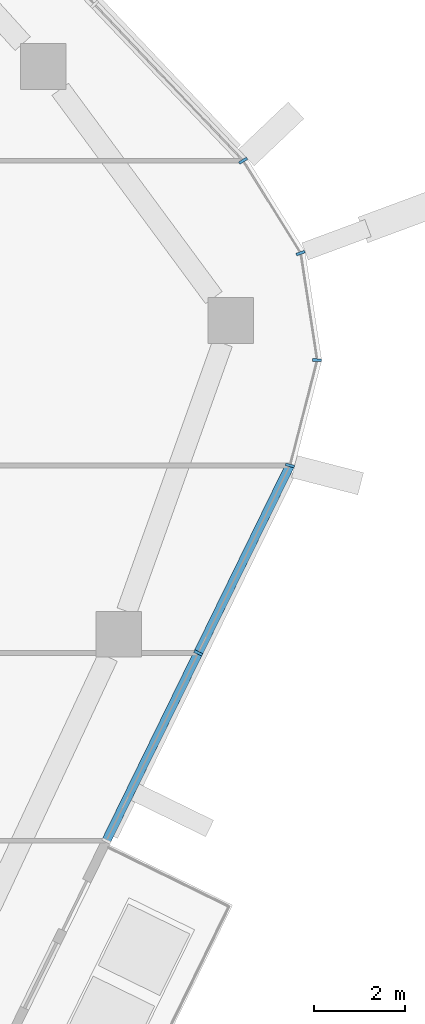
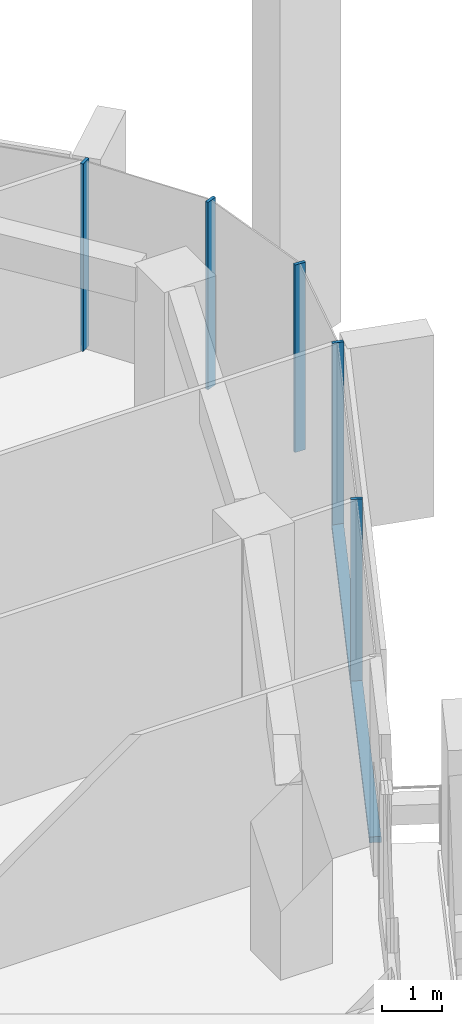
# One storey, part 10 of 24: 6 members, 2 elements without a shape of their own.
"""IFC4 building model written with IfcOpenShell, lengths in metres."""

from ifc_helpers import new_model, si_unit, direction, frame, origin, origin_2d, place, context, subcontext, project, spatial, rectangle, extrude, material, layer, layer_set, material_profile, profile_set, type_object, element, aggregate, save


model = new_model("IFC4")

# Units and contexts
model_context = context("Model", 3, precision=1e-05, world=origin(), true_north=direction((0.0, 1.0)))
body_context = subcontext(model_context, "Body", "Model", "MODEL_VIEW")
ifc_project = project(units=[si_unit("LENGTHUNIT", "METRE"), si_unit("AREAUNIT", "SQUARE_METRE"), si_unit("VOLUMEUNIT", "CUBIC_METRE"), si_unit("PLANEANGLEUNIT", "RADIAN"), si_unit("MASSUNIT", "GRAM", prefix="KILO")], contexts=[model_context])

# Site, building, storey
site_placement = place(None, origin())
site = spatial("IfcSite", under=ifc_project, at=site_placement, CompositionType="ELEMENT")
building_placement = place(site_placement, origin())
building = spatial("IfcBuilding", under=site, at=building_placement, Name="Dongbaek Canopy Tower", CompositionType="ELEMENT")
storey_placement = place(building_placement, frame((0.0, 0.0, 332.0)))
storey = spatial("IfcBuildingStorey", under=building, at=storey_placement, Name="L71", CompositionType="ELEMENT", Elevation=332.0)

# Curtain wall, members
ifc_material_1 = material(Name="Aluminium 6063-T6 pale anodised", Category="aluminium")
ifc_layer = layer(ifc_material_1, 0.199951171875)
ifc_layer_set = layer_set([ifc_layer], Name="CW-1 unitised tower curtain wall")
curtain_wall_type = type_object("IfcCurtainWallType", Name="CW-1 unitised tower curtain wall", PredefinedType="NOTDEFINED", material=ifc_layer_set)
curtain_wall_1_placement = place(storey_placement, origin())
curtain_wall_1 = element("IfcCurtainWall", 1, at=curtain_wall_1_placement, inside=storey, type_object=curtain_wall_type, Name="CW-1 curtain wall K0.1", PredefinedType="NOTDEFINED")
ifc_material_2 = material(Name="Aluminium 6063-T6 pale anodised", Category="aluminium")
ifc_material_profile_1 = material_profile(ifc_material_2, rectangle(XDim=0.199951171875, YDim=0.06005859375, at=origin_2d()), Name="CW-1 mullion 60 x 200")
ifc_profile_set_1 = profile_set([ifc_material_profile_1], Name="Aluminium 6063-T6 pale anodised")
member_type_1 = type_object("IfcMemberType", Name="CW-1 mullion 60 x 200", PredefinedType="MULLION", material=ifc_profile_set_1)
member_1_placement = place(storey_placement, frame((32.101806640625, 3.521728515625, 0.0), z_axis=(0.0, 0.0, 1.0), x_axis=(0.96831359198, -0.249737437294, 0.0)))
member_1 = element("IfcMember", 2, at=member_1_placement, type_object=member_type_1, Name="CW-1 mullion K0.1.1", PredefinedType="MULLION", context=body_context, shape_type="SweptSolid", body=[
    extrude(rectangle(XDim=0.199951171875, YDim=0.06005859375, at=origin_2d()), origin(), (0.0, 0.0, 1.0), 3.820068359375),
])
member_2_placement = place(storey_placement, frame((32.69677734375, 5.828369140625, 0.0), z_axis=(0.0, 0.0, 1.0), x_axis=(0.998752390413, -0.049936586234, 0.0)))
member_2 = element("IfcMember", 3, at=member_2_placement, type_object=member_type_1, Name="CW-1 mullion K0.1.2", PredefinedType="MULLION", context=body_context, shape_type="SweptSolid", body=[
    extrude(rectangle(XDim=0.199951171875, YDim=0.06005859375, at=origin_2d()), origin(), (0.0, 0.0, 1.0), 3.820068359375),
])
member_3_placement = place(storey_placement, frame((32.33642578125, 8.1728515625, 0.0), z_axis=(0.0, 0.0, 1.0), x_axis=(0.937665225742, 0.347539817049, 0.0)))
member_3 = element("IfcMember", 4, at=member_3_placement, type_object=member_type_1, Name="CW-1 mullion K0.1.3", PredefinedType="MULLION", context=body_context, shape_type="SweptSolid", body=[
    extrude(rectangle(XDim=0.199951171875, YDim=0.06005859375, at=origin_2d()), origin(), (0.0, 0.0, 1.0), 3.820068359375),
])
member_4_placement = place(storey_placement, frame((31.076416015625, 10.1943359375, 0.0), z_axis=(0.0, 0.0, 1.0), x_axis=(0.848634483978, 0.528979690161, 0.0)))
member_4 = element("IfcMember", 5, at=member_4_placement, type_object=member_type_1, Name="CW-1 mullion K0.1.4", PredefinedType="MULLION", context=body_context, shape_type="SweptSolid", body=[
    extrude(rectangle(XDim=0.199951171875, YDim=0.06005859375, at=origin_2d()), origin(), (0.0, 0.0, 1.0), 3.820068359375),
])
aggregate(curtain_wall_1, [member_1, member_2, member_3, member_4])

curtain_wall_2_placement = place(storey_placement, origin())
curtain_wall_2 = element("IfcCurtainWall", 6, at=curtain_wall_2_placement, inside=storey, type_object=curtain_wall_type, Name="CW-1 curtain wall F5.1", PredefinedType="NOTDEFINED")
member_5_placement = place(storey_placement, frame((30.094482421875, -0.582763671875, 0.1201171875), z_axis=(0.0, 0.0, 1.0), x_axis=(0.89832218457, -0.439337288093, 0.0)))
member_5 = element("IfcMember", 7, at=member_5_placement, type_object=member_type_1, Name="CW-1 mullion F5.1.2", PredefinedType="MULLION", context=body_context, shape_type="SweptSolid", body=[
    extrude(rectangle(XDim=0.199951171875, YDim=0.06005859375, at=origin_2d()), origin(), (0.0, 0.0, 1.0), 3.699951171875),
])
ifc_material_3 = material(Name="Aluminium 6063-T6 pale anodised", Category="aluminium")
ifc_material_profile_2 = material_profile(ifc_material_3, rectangle(XDim=0.199951171875, YDim=0.1201171875, at=origin_2d()), Name="CW-1 transom 120 x 200")
ifc_profile_set_2 = profile_set([ifc_material_profile_2], Name="Aluminium 6063-T6 pale anodised")
member_type_2 = type_object("IfcMemberType", Name="CW-1 transom 120 x 200", PredefinedType="USERDEFINED", material=ifc_profile_set_2)
member_6_placement = place(storey_placement, frame((28.08251953125, -4.6962890625, 0.06005859375), z_axis=(0.439350369749, 0.898315786681, 0.0), x_axis=(-0.898315786681, 0.439350369749, 0.0)))
member_6 = element("IfcMember", 8, at=member_6_placement, type_object=member_type_2, Name="CW-1 transom F5.1.1", ObjectType="TRANSOM", PredefinedType="USERDEFINED", context=body_context, shape_type="SweptSolid", body=[
    extrude(rectangle(XDim=0.199951171875, YDim=0.1201171875, at=origin_2d()), origin(), (0.0, 0.0, 1.0), 9.148193359375),
])
aggregate(curtain_wall_2, [member_5, member_6])

save(model, "model.ifc")
